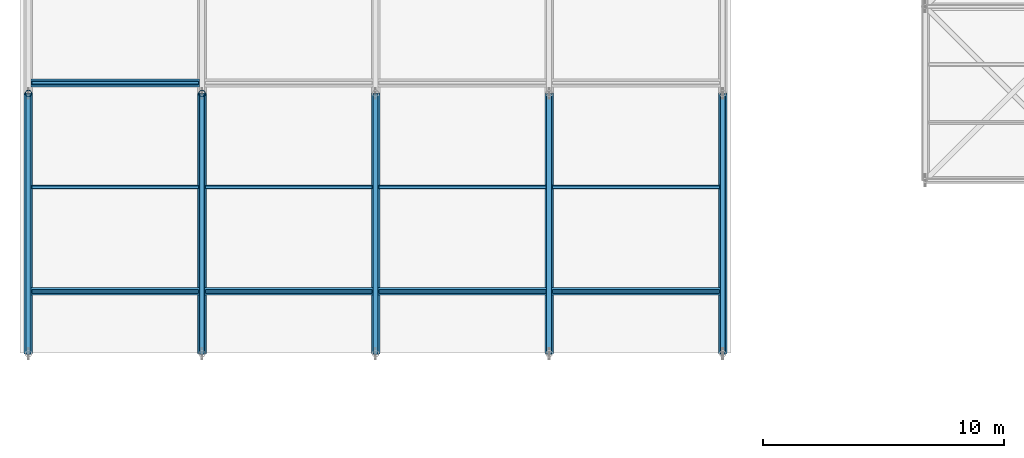
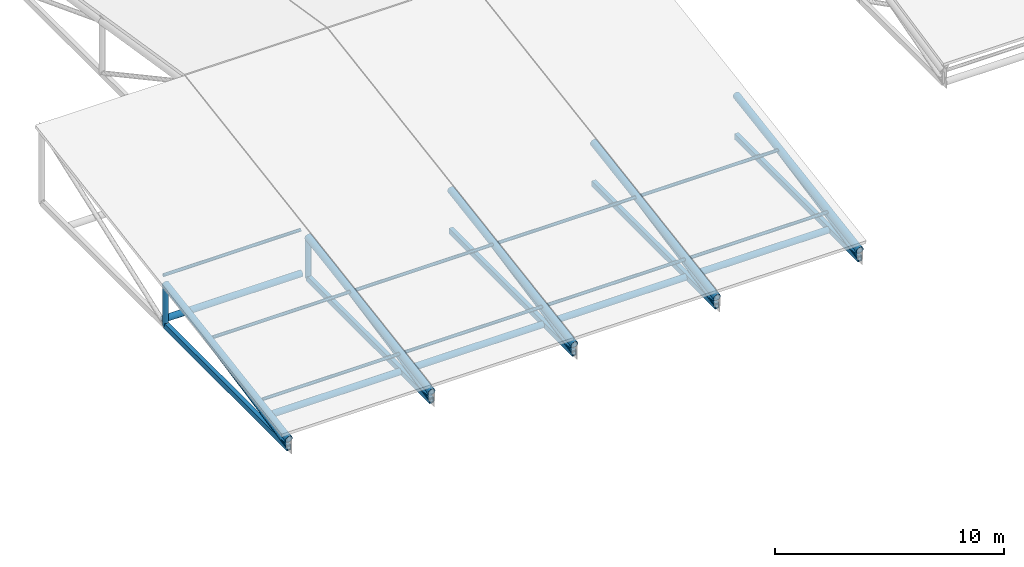
# One storey, part 14 of 72: 21 members, 10 beams.
"""IFC4 building model written with IfcOpenShell, lengths in metres."""

from ifc_helpers import new_model, si_unit, direction, frame, origin, origin_2d, place, context, subcontext, project, spatial, hollow_rectangle, hollow_circle, extrude, material, material_profile, profile_set, type_object, element, save


model = new_model("IFC4")

# Units and contexts
model_context = context("Model", 3, precision=1e-05, world=origin(), true_north=direction((0.0, 1.0)))
body_context = subcontext(model_context, "Body", "Model", "MODEL_VIEW")
ifc_project = project(units=[si_unit("LENGTHUNIT", "METRE"), si_unit("AREAUNIT", "SQUARE_METRE"), si_unit("VOLUMEUNIT", "CUBIC_METRE"), si_unit("PLANEANGLEUNIT", "RADIAN"), si_unit("MASSUNIT", "GRAM", prefix="KILO")], contexts=[model_context])

# Site, building, storey
site_placement = place(None, origin())
site = spatial("IfcSite", under=ifc_project, at=site_placement, CompositionType="ELEMENT")
building_placement = place(site_placement, origin())
building = spatial("IfcBuilding", under=site, at=building_placement, Name="Vaelcorin Mobility Hub", CompositionType="ELEMENT")
storey_placement = place(building_placement, frame((0.0, 0.0, 25.800048828125)))
storey = spatial("IfcBuildingStorey", under=building, at=storey_placement, Name="RF", CompositionType="ELEMENT", Elevation=25.800048828125)

# Members
ifc_material = material(Name="Steel ASTM A500 Grade C", Category="steel")
ifc_material_profile_1 = material_profile(ifc_material, hollow_circle(Radius=0.161865234375, WallThickness=0.0126953125, at=origin_2d()), Name="HSS12.750X0.500")
ifc_profile_set_1 = profile_set([ifc_material_profile_1], Name="Steel ASTM A500 Grade C")
member_type_1 = type_object("IfcMemberType", Name="SF-CHORD-12", PredefinedType="CHORD", material=ifc_profile_set_1)
for number, where, z_axis, x_axis, name in (
    (1, (6.097900390625, 79.39208984375, -4.199951171875), (1.0, 0.0, 0.0), (0.0, 1.0, 0.0), "V2W Drum Truss Tie Strut 1-1"),
    (2, (6.097900390625, 88.031982421875, -4.199951171875), (1.0, 0.0, 0.0), (0.0, 1.0, 0.0), "V2W Drum Truss Tie Strut 1-3"),
):
    element("IfcMember", number, at=place(storey_placement, frame(where, z_axis=z_axis, x_axis=x_axis)), inside=storey, type_object=member_type_1, Name=name, PredefinedType="CHORD", context=body_context, shape_type="SweptSolid", body=[
        extrude(hollow_circle(Radius=0.161865234375, WallThickness=0.0126953125, at=origin_2d()), origin(), (0.0, 0.0, 1.0), 7.004150390625),
    ])
for number, where, z_axis, x_axis, name in (
    (3, (13.298095703125, 79.39208984375, -4.199951171875), (1.0, 0.0, 0.0), (0.0, 1.0, 0.0), "V2W Drum Truss Tie Strut 2-1"),
    (4, (20.498046875, 79.39208984375, -4.199951171875), (1.0, 0.0, 0.0), (0.0, 1.0, 0.0), "V2W Drum Truss Tie Strut 3-1"),
    (5, (27.697998046875, 79.39208984375, -4.199951171875), (1.0, 0.0, 0.0), (0.0, 1.0, 0.0), "V2W Drum Truss Tie Strut 4-1"),
):
    element("IfcMember", number, at=place(storey_placement, frame(where, z_axis=z_axis, x_axis=x_axis)), inside=storey, type_object=member_type_1, Name=name, PredefinedType="CHORD", context=body_context, shape_type="SweptSolid", body=[
        extrude(hollow_circle(Radius=0.161865234375, WallThickness=0.0126953125, at=origin_2d()), origin(), (0.0, 0.0, 1.0), 7.00390625),
    ])
ifc_material_profile_2 = material_profile(ifc_material, hollow_circle(Radius=0.136474609375, WallThickness=0.0126953125, at=origin_2d()), Name="HSS10.750X0.500")
ifc_profile_set_2 = profile_set([ifc_material_profile_2], Name="Steel ASTM A500 Grade C")
member_type_2 = type_object("IfcMemberType", Name="SF-POST-10", PredefinedType="POST", material=ifc_profile_set_2)
for number, where, z_axis, x_axis, name in (
    (6, (6.0, 87.60009765625, -4.199951171875), (0.0, 0.0, 1.0), (1.0, 0.0, 0.0), "V2W Drum Roof Truss Post 1-1"),
    (7, (13.199951171875, 87.60009765625, -4.199951171875), (0.0, 0.0, 1.0), (1.0, 0.0, 0.0), "V2W Drum Roof Truss Post 2-1"),
):
    element("IfcMember", number, at=place(storey_placement, frame(where, z_axis=z_axis, x_axis=x_axis)), inside=storey, type_object=member_type_2, Name=name, PredefinedType="POST", context=body_context, shape_type="SweptSolid", body=[
        extrude(hollow_circle(Radius=0.136474609375, WallThickness=0.0126953125, at=origin_2d()), origin(), (0.0, 0.0, 1.0), 2.171875),
    ])
ifc_material_profile_3 = material_profile(ifc_material, hollow_circle(Radius=0.084228515625, WallThickness=0.0078125, at=origin_2d()), Name="HSS6.625X0.312")
ifc_profile_set_3 = profile_set([ifc_material_profile_3], Name="Steel ASTM A500 Grade C")
member_type_3 = type_object("IfcMemberType", Name="SF-PURL-6", PredefinedType="PURLIN", material=ifc_profile_set_3)
for number, where, z_axis, x_axis, name in (
    (8, (6.139892578125, 79.39208984375, -3.24609375), (1.0, 0.0, 0.0), (0.0, 1.0, 0.0), "V2W Drum Roof Purlin 1-1-1"),
    (9, (6.139892578125, 83.7119140625, -2.554931640625), (1.0, 0.0, 0.0), (0.0, 1.0, 0.0), "V2W Drum Roof Purlin 1-1-2"),
    (10, (6.139892578125, 88.031982421875, -1.864013671875), (1.0, 0.0, 0.0), (0.0, 1.0, 0.0), "V2W Drum Roof Purlin 1-1-3"),
):
    element("IfcMember", number, at=place(storey_placement, frame(where, z_axis=z_axis, x_axis=x_axis)), inside=storey, type_object=member_type_3, Name=name, PredefinedType="PURLIN", context=body_context, shape_type="SweptSolid", body=[
        extrude(hollow_circle(Radius=0.084228515625, WallThickness=0.0078125, at=origin_2d()), origin(), (0.0, 0.0, 1.0), 6.920166015625),
    ])
for number, where, z_axis, x_axis, name in (
    (11, (13.340087890625, 79.39208984375, -3.24609375), (1.0, 0.0, 0.0), (0.0, 1.0, 0.0), "V2W Drum Roof Purlin 2-1-1"),
    (12, (13.340087890625, 83.7119140625, -2.554931640625), (1.0, 0.0, 0.0), (0.0, 1.0, 0.0), "V2W Drum Roof Purlin 2-1-2"),
    (13, (20.5400390625, 79.39208984375, -3.24609375), (1.0, 0.0, 0.0), (0.0, 1.0, 0.0), "V2W Drum Roof Purlin 3-1-1"),
    (14, (20.5400390625, 83.7119140625, -2.554931640625), (1.0, 0.0, 0.0), (0.0, 1.0, 0.0), "V2W Drum Roof Purlin 3-1-2"),
    (15, (27.739990234375, 79.39208984375, -3.24609375), (1.0, 0.0, 0.0), (0.0, 1.0, 0.0), "V2W Drum Roof Purlin 4-1-1"),
    (16, (27.739990234375, 83.7119140625, -2.554931640625), (1.0, 0.0, 0.0), (0.0, 1.0, 0.0), "V2W Drum Roof Purlin 4-1-2"),
):
    element("IfcMember", number, at=place(storey_placement, frame(where, z_axis=z_axis, x_axis=x_axis)), inside=storey, type_object=member_type_3, Name=name, PredefinedType="PURLIN", context=body_context, shape_type="SweptSolid", body=[
        extrude(hollow_circle(Radius=0.084228515625, WallThickness=0.0078125, at=origin_2d()), origin(), (0.0, 0.0, 1.0), 6.919921875),
    ])

# Beams
ifc_material_profile_4 = material_profile(ifc_material, hollow_circle(Radius=0.177734375, WallThickness=0.0126953125, at=origin_2d()), Name="HSS14.000X0.500")
ifc_profile_set_4 = profile_set([ifc_material_profile_4], Name="Steel ASTM A500 Grade C")
beam_type_1 = type_object("IfcBeamType", Name="TR-CHORD-14", PredefinedType="BEAM", material=ifc_profile_set_4)
for number, where, z_axis, x_axis, name in (
    (17, (6.0, 76.800048828125, -3.756103515625), (0.0, 0.987440353331, 0.15799224226), (-1.0, 0.0, 0.0), "V2W Drum Roof Truss Upper Chord 1-1"),
    (18, (13.199951171875, 76.800048828125, -3.756103515625), (0.0, 0.987440353331, 0.15799224226), (-1.0, 0.0, 0.0), "V2W Drum Roof Truss Upper Chord 2-1"),
    (19, (20.39990234375, 76.800048828125, -3.756103515625), (0.0, 0.987440353331, 0.15799224226), (-1.0, 0.0, 0.0), "V2W Drum Roof Truss Upper Chord 3-1"),
    (20, (27.60009765625, 76.800048828125, -3.756103515625), (0.0, 0.987440353331, 0.15799224226), (-1.0, 0.0, 0.0), "V2W Drum Roof Truss Upper Chord 4-1"),
    (21, (34.800048828125, 76.800048828125, -3.756103515625), (0.0, 0.987440353331, 0.15799224226), (-1.0, 0.0, 0.0), "V2W Drum Roof Truss Upper Chord 5-1"),
):
    element("IfcBeam", number, at=place(storey_placement, frame(where, z_axis=z_axis, x_axis=x_axis)), inside=storey, type_object=beam_type_1, Name=name, PredefinedType="BEAM", context=body_context, shape_type="SweptSolid", body=[
        extrude(hollow_circle(Radius=0.177734375, WallThickness=0.0126953125, at=origin_2d()), origin(), (0.0, 0.0, 1.0), 10.9375),
    ])
ifc_material_profile_5 = material_profile(ifc_material, hollow_rectangle(XDim=0.203125, YDim=0.3046875, WallThickness=0.01171875, at=origin_2d()), Name="HSS12X8X0.500")
ifc_profile_set_5 = profile_set([ifc_material_profile_5], Name="Steel ASTM A500 Grade C")
beam_type_2 = type_object("IfcBeamType", Name="TR-CHORD-RHS12", PredefinedType="BEAM", material=ifc_profile_set_5)
for number, where, z_axis, x_axis, name in (
    (22, (6.0, 76.800048828125, -4.199951171875), (0.0, 1.0, 0.0), (-1.0, 0.0, 0.0), "V2W Drum Roof Truss Lower Chord 1-1"),
    (23, (13.199951171875, 76.800048828125, -4.199951171875), (0.0, 1.0, 0.0), (-1.0, 0.0, 0.0), "V2W Drum Roof Truss Lower Chord 2-1"),
    (24, (20.39990234375, 76.800048828125, -4.199951171875), (0.0, 1.0, 0.0), (-1.0, 0.0, 0.0), "V2W Drum Roof Truss Lower Chord 3-1"),
    (25, (27.60009765625, 76.800048828125, -4.199951171875), (0.0, 1.0, 0.0), (-1.0, 0.0, 0.0), "V2W Drum Roof Truss Lower Chord 4-1"),
    (26, (34.800048828125, 76.800048828125, -4.199951171875), (0.0, 1.0, 0.0), (-1.0, 0.0, 0.0), "V2W Drum Roof Truss Lower Chord 5-1"),
):
    element("IfcBeam", number, at=place(storey_placement, frame(where, z_axis=z_axis, x_axis=x_axis)), inside=storey, type_object=beam_type_2, Name=name, PredefinedType="BEAM", context=body_context, shape_type="SweptSolid", body=[
        extrude(hollow_rectangle(XDim=0.203125, YDim=0.3046875, WallThickness=0.01171875, at=origin_2d()), origin(), (0.0, 0.0, 1.0), 10.800048828125),
    ])

# Members
ifc_material_profile_6 = material_profile(ifc_material, hollow_circle(Radius=0.109619140625, WallThickness=0.009521484375, at=origin_2d()), Name="HSS8.625X0.375")
ifc_profile_set_6 = profile_set([ifc_material_profile_6], Name="Steel ASTM A500 Grade C")
member_type_4 = type_object("IfcMemberType", Name="TR-WEB-8", PredefinedType="BRACE", material=ifc_profile_set_6)
for number, where, z_axis, x_axis, name in (
    (27, (6.0, 76.800048828125, -4.199951171875), (0.0, 0.980373000896, 0.197151665257), (-1.0, 0.0, 0.0), "V2W Drum Roof Truss Web Diagonal 1-1"),
    (28, (13.199951171875, 76.800048828125, -4.199951171875), (0.0, 0.980373000896, 0.197151665257), (-1.0, 0.0, 0.0), "V2W Drum Roof Truss Web Diagonal 2-1"),
    (29, (20.39990234375, 76.800048828125, -4.199951171875), (0.0, 0.980373000896, 0.197151665257), (-1.0, 0.0, 0.0), "V2W Drum Roof Truss Web Diagonal 3-1"),
    (30, (27.60009765625, 76.800048828125, -4.199951171875), (0.0, 0.980373000896, 0.197151665257), (-1.0, 0.0, 0.0), "V2W Drum Roof Truss Web Diagonal 4-1"),
    (31, (34.800048828125, 76.800048828125, -4.199951171875), (0.0, 0.980373000896, 0.197151665257), (-1.0, 0.0, 0.0), "V2W Drum Roof Truss Web Diagonal 5-1"),
):
    element("IfcMember", number, at=place(storey_placement, frame(where, z_axis=z_axis, x_axis=x_axis)), inside=storey, type_object=member_type_4, Name=name, PredefinedType="BRACE", context=body_context, shape_type="SweptSolid", body=[
        extrude(hollow_circle(Radius=0.109619140625, WallThickness=0.009521484375, at=origin_2d()), origin(), (0.0, 0.0, 1.0), 11.016357421875),
    ])

save(model, "model.ifc")
